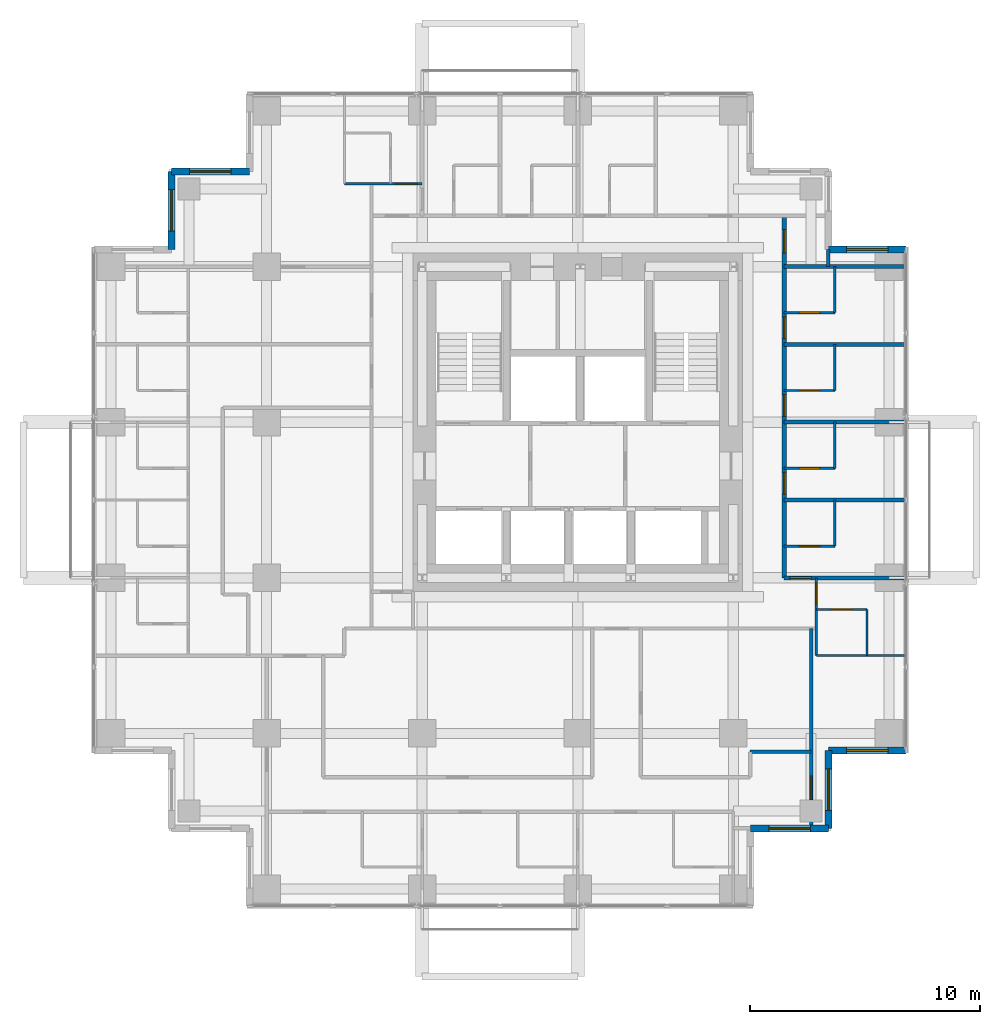
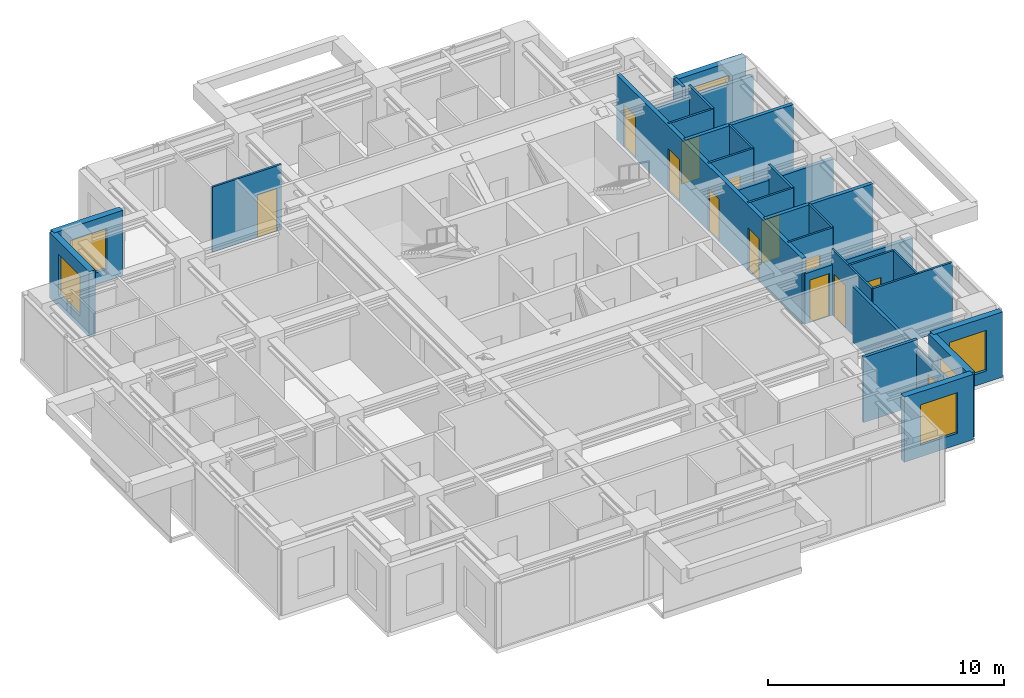
# One storey, part 8 of 10: 28 walls, 13 doors, 6 windows, 19 openings.
"""IFC4 building model written with IfcOpenShell, lengths in metres."""

from ifc_helpers import new_model, si_unit, direction, frame, frame_2d, origin, place, context, subcontext, project, spatial, rectangle, extrude, material, layer, layer_set, type_object, element, fill, save


model = new_model("IFC4")

# Units and contexts
model_context = context("Model", 3, precision=1e-05, world=origin(), true_north=direction((0.0, 1.0)))
body_context = subcontext(model_context, "Body", "Model", "MODEL_VIEW")
ifc_project = project(units=[si_unit("LENGTHUNIT", "METRE"), si_unit("AREAUNIT", "SQUARE_METRE"), si_unit("VOLUMEUNIT", "CUBIC_METRE"), si_unit("PLANEANGLEUNIT", "RADIAN"), si_unit("MASSUNIT", "GRAM", prefix="KILO")], contexts=[model_context])

# Site, building, storey
site_placement = place(None, origin())
site = spatial("IfcSite", under=ifc_project, at=site_placement, CompositionType="ELEMENT")
building_placement = place(site_placement, origin())
building = spatial("IfcBuilding", under=site, at=building_placement, Name="Nyansa Garden Tower", CompositionType="ELEMENT")
storey_placement = place(building_placement, frame((0.0, 0.0, 181.800048828125)))
storey = spatial("IfcBuildingStorey", under=building, at=storey_placement, Name="L49", CompositionType="ELEMENT", Elevation=181.800048828125)

# Wall, opening, door
ifc_material_1 = material(Name="Dense blockwork, plastered both sides, 55 dB", Category="masonry")
ifc_layer_1 = layer(ifc_material_1, 0.175048828125)
ifc_layer_set_1 = layer_set([ifc_layer_1], Name="Acoustic party wall PW175")
wall_type_1 = type_object("IfcWallType", Name="Acoustic party wall PW175", PredefinedType="PARTITIONING", material=ifc_layer_set_1)
wall_1_placement = place(storey_placement, frame((29.199951171875, 13.5, 0.0), z_axis=(0.0, 0.0, 1.0), x_axis=(1.0, 0.0, 0.0)))
wall_1 = element("IfcWall", 1, at=wall_1_placement, inside=storey, type_object=wall_type_1, Name="Party wall", PredefinedType="PARTITIONING", context=body_context, shape_type="SweptSolid", body=[
    extrude(rectangle(XDim=5.283935546875, YDim=0.175048828125, at=frame_2d((2.64208984375, 0.0))), origin(), (0.0, 0.0, 1.0), 2.60986328125),
])
opening_1_placement = place(wall_1_placement, frame((0.25, 0.0, 0.0)))
opening_1 = element("IfcOpeningElement", 2, at=opening_1_placement, cuts=wall_1, Name="Opening D14", PredefinedType="OPENING", context=body_context, shape_type="SweptSolid", body=[
    extrude(rectangle(XDim=0.949951171875, YDim=2.199951171875, at=frame_2d((0.47509765625, 1.10009765625))), frame((0.0, 0.097412109375, 0.0), z_axis=(0.0, -1.0, 0.0), x_axis=(1.0, 0.0, 0.0)), (0.0, 0.0, 1.0), 0.195068359375),
])
ifc_material_2 = material(Name="Timber flush door, 60 minute fire resisting, self-closing", Category="wood")
door_type_1 = type_object("IfcDoorType", Name="Studio entrance door D14 950x2200", OperationType="SINGLE_SWING_LEFT", PredefinedType="DOOR", material=ifc_material_2)
door_1_placement = place(opening_1_placement, origin())
door_1 = element("IfcDoor", 3, at=door_1_placement, inside=storey, type_object=door_type_1, Name="Door L49-030", OperationType="SINGLE_SWING_LEFT", OverallHeight=2.199951171875, OverallWidth=0.949951171875, PredefinedType="DOOR", context=body_context, shape_type="SweptSolid", body=[
    extrude(rectangle(XDim=0.949951171875, YDim=2.199951171875, at=frame_2d((0.47509765625, 1.10009765625))), frame((0.0, 0.02490234375, 0.0), z_axis=(0.0, -1.0, 0.0), x_axis=(1.0, 0.0, 0.0)), (0.0, 0.0, 1.0), 0.050048828125),
])
fill(opening_1, door_1)

# Walls
wall_2_placement = place(storey_placement, frame((29.199951171875, 16.875, 0.0), z_axis=(0.0, 0.0, 1.0), x_axis=(1.0, 0.0, 0.0)))
element("IfcWall", 4, at=wall_2_placement, inside=storey, type_object=wall_type_1, Name="Party wall", PredefinedType="PARTITIONING", context=body_context, shape_type="SweptSolid", body=[
    extrude(rectangle(XDim=5.283935546875, YDim=0.175048828125, at=frame_2d((2.64208984375, 0.0))), origin(), (0.0, 0.0, 1.0), 3.375),
])
wall_3_placement = place(storey_placement, frame((29.199951171875, 20.25, 0.0), z_axis=(0.0, 0.0, 1.0), x_axis=(1.0, 0.0, 0.0)))
element("IfcWall", 5, at=wall_3_placement, inside=storey, type_object=wall_type_1, Name="Party wall", PredefinedType="PARTITIONING", context=body_context, shape_type="SweptSolid", body=[
    extrude(rectangle(XDim=5.283935546875, YDim=0.175048828125, at=frame_2d((2.64208984375, 0.0))), origin(), (0.0, 0.0, 1.0), 2.60986328125),
])
wall_4_placement = place(storey_placement, frame((29.199951171875, 23.625, 0.0), z_axis=(0.0, 0.0, 1.0), x_axis=(1.0, 0.0, 0.0)))
element("IfcWall", 6, at=wall_4_placement, inside=storey, type_object=wall_type_1, Name="Party wall", PredefinedType="PARTITIONING", context=body_context, shape_type="SweptSolid", body=[
    extrude(rectangle(XDim=5.283935546875, YDim=0.175048828125, at=frame_2d((2.64208984375, 0.0))), origin(), (0.0, 0.0, 1.0), 3.375),
])
wall_5_placement = place(storey_placement, frame((29.199951171875, 27.0, 0.0), z_axis=(0.0, 0.0, 1.0), x_axis=(1.0, 0.0, 0.0)))
element("IfcWall", 7, at=wall_5_placement, inside=storey, type_object=wall_type_1, Name="Party wall", PredefinedType="PARTITIONING", context=body_context, shape_type="SweptSolid", body=[
    extrude(rectangle(XDim=5.283935546875, YDim=0.175048828125, at=frame_2d((2.64208984375, 0.0))), origin(), (0.0, 0.0, 1.0), 2.805908203125),
])

# Wall, openings, doors
ifc_material_3 = material(Name="Concrete blockwork, plastered, 60 minute fire resisting", Category="masonry")
ifc_layer_2 = layer(ifc_material_3, 0.199951171875)
ifc_layer_set_2 = layer_set([ifc_layer_2], Name="Corridor wall FW200")
wall_type_2 = type_object("IfcWallType", Name="Corridor wall FW200", PredefinedType="PARTITIONING", material=ifc_layer_set_2)
wall_6_placement = place(storey_placement, frame((29.199951171875, 13.5, 0.0), z_axis=(0.0, 0.0, 1.0), x_axis=(0.0, 1.0, 0.0)))
wall_6 = element("IfcWall", 8, at=wall_6_placement, inside=storey, type_object=wall_type_2, Name="Corridor wall", PredefinedType="PARTITIONING", context=body_context, shape_type="SweptSolid", body=[
    extrude(rectangle(XDim=15.699951171875, YDim=0.199951171875, at=frame_2d((7.85009765625, 0.0))), origin(), (0.0, 0.0, 1.0), 3.375),
])
opening_2_placement = place(wall_6_placement, frame((3.625, 0.0, 0.0)))
opening_2 = element("IfcOpeningElement", 9, at=opening_2_placement, cuts=wall_6, Name="Opening D14", PredefinedType="OPENING", context=body_context, shape_type="SweptSolid", body=[
    extrude(rectangle(XDim=0.949951171875, YDim=2.199951171875, at=frame_2d((0.47509765625, 1.10009765625))), frame((0.0, 0.10986328125, 0.0), z_axis=(0.0, -1.0, 0.0), x_axis=(1.0, 0.0, 0.0)), (0.0, 0.0, 1.0), 0.219970703125),
])
opening_3_placement = place(wall_6_placement, frame((7.0, 0.0, 0.0)))
opening_3 = element("IfcOpeningElement", 10, at=opening_3_placement, cuts=wall_6, Name="Opening D14", PredefinedType="OPENING", context=body_context, shape_type="SweptSolid", body=[
    extrude(rectangle(XDim=0.949951171875, YDim=2.199951171875, at=frame_2d((0.47509765625, 1.10009765625))), frame((0.0, 0.10986328125, 0.0), z_axis=(0.0, -1.0, 0.0), x_axis=(1.0, 0.0, 0.0)), (0.0, 0.0, 1.0), 0.219970703125),
])
opening_4_placement = place(wall_6_placement, frame((10.375, 0.0, 0.0)))
opening_4 = element("IfcOpeningElement", 11, at=opening_4_placement, cuts=wall_6, Name="Opening D14", PredefinedType="OPENING", context=body_context, shape_type="SweptSolid", body=[
    extrude(rectangle(XDim=0.949951171875, YDim=2.199951171875, at=frame_2d((0.47509765625, 1.10009765625))), frame((0.0, 0.10986328125, 0.0), z_axis=(0.0, -1.0, 0.0), x_axis=(1.0, 0.0, 0.0)), (0.0, 0.0, 1.0), 0.219970703125),
])
opening_5_placement = place(wall_6_placement, frame((14.10009765625, 0.0, 0.0)))
opening_5 = element("IfcOpeningElement", 12, at=opening_5_placement, cuts=wall_6, Name="Opening D03", PredefinedType="OPENING", context=body_context, shape_type="SweptSolid", body=[
    extrude(rectangle(XDim=1.0, YDim=2.199951171875, at=frame_2d((0.5, 1.10009765625))), frame((0.0, 0.10986328125, 0.0), z_axis=(0.0, -1.0, 0.0), x_axis=(1.0, 0.0, 0.0)), (0.0, 0.0, 1.0), 0.219970703125),
])
ifc_material_4 = material(Name="Timber flush door, 60 minute fire resisting", Category="wood")
door_type_2 = type_object("IfcDoorType", Name="Cluster entrance door D03 1000x2200", OperationType="SINGLE_SWING_LEFT", PredefinedType="DOOR", material=ifc_material_4)
door_2_placement = place(opening_5_placement, origin())
door_2 = element("IfcDoor", 13, at=door_2_placement, inside=storey, type_object=door_type_2, Name="Door L49-038", OperationType="SINGLE_SWING_LEFT", OverallHeight=2.199951171875, OverallWidth=1.0, PredefinedType="DOOR", context=body_context, shape_type="SweptSolid", body=[
    extrude(rectangle(XDim=1.0, YDim=2.199951171875, at=frame_2d((0.5, 1.10009765625))), frame((0.0, 0.02490234375, 0.0), z_axis=(0.0, -1.0, 0.0), x_axis=(1.0, 0.0, 0.0)), (0.0, 0.0, 1.0), 0.050048828125),
])
fill(opening_5, door_2)
door_3_placement = place(opening_2_placement, origin())
door_3 = element("IfcDoor", 14, at=door_3_placement, inside=storey, type_object=door_type_1, Name="Door L49-032", OperationType="SINGLE_SWING_LEFT", OverallHeight=2.199951171875, OverallWidth=0.949951171875, PredefinedType="DOOR", context=body_context, shape_type="SweptSolid", body=[
    extrude(rectangle(XDim=0.949951171875, YDim=2.199951171875, at=frame_2d((0.47509765625, 1.10009765625))), frame((0.0, 0.02490234375, 0.0), z_axis=(0.0, -1.0, 0.0), x_axis=(1.0, 0.0, 0.0)), (0.0, 0.0, 1.0), 0.050048828125),
])
fill(opening_2, door_3)
door_4_placement = place(opening_3_placement, origin())
door_4 = element("IfcDoor", 15, at=door_4_placement, inside=storey, type_object=door_type_1, Name="Door L49-034", OperationType="SINGLE_SWING_LEFT", OverallHeight=2.199951171875, OverallWidth=0.949951171875, PredefinedType="DOOR", context=body_context, shape_type="SweptSolid", body=[
    extrude(rectangle(XDim=0.949951171875, YDim=2.199951171875, at=frame_2d((0.47509765625, 1.10009765625))), frame((0.0, 0.02490234375, 0.0), z_axis=(0.0, -1.0, 0.0), x_axis=(1.0, 0.0, 0.0)), (0.0, 0.0, 1.0), 0.050048828125),
])
fill(opening_3, door_4)
door_5_placement = place(opening_4_placement, origin())
door_5 = element("IfcDoor", 16, at=door_5_placement, inside=storey, type_object=door_type_1, Name="Door L49-036", OperationType="SINGLE_SWING_LEFT", OverallHeight=2.199951171875, OverallWidth=0.949951171875, PredefinedType="DOOR", context=body_context, shape_type="SweptSolid", body=[
    extrude(rectangle(XDim=0.949951171875, YDim=2.199951171875, at=frame_2d((0.47509765625, 1.10009765625))), frame((0.0, 0.02490234375, 0.0), z_axis=(0.0, -1.0, 0.0), x_axis=(1.0, 0.0, 0.0)), (0.0, 0.0, 1.0), 0.050048828125),
])
fill(opening_4, door_5)

# Wall
ifc_material_5 = material(Name="Blockwork, plastered both sides", Category="masonry")
ifc_layer_3 = layer(ifc_material_5, 0.14990234375)
ifc_layer_set_3 = layer_set([ifc_layer_3], Name="Partition PW150")
wall_type_3 = type_object("IfcWallType", Name="Partition PW150", PredefinedType="PARTITIONING", material=ifc_layer_set_3)
wall_7_placement = place(storey_placement, frame((27.72509765625, 5.949951171875, 0.0), z_axis=(0.0, 0.0, 1.0), x_axis=(1.0, 0.0, 0.0)))
element("IfcWall", 17, at=wall_7_placement, inside=storey, type_object=wall_type_3, Name="Partition", PredefinedType="PARTITIONING", context=body_context, shape_type="SweptSolid", body=[
    extrude(rectangle(XDim=2.64990234375, YDim=0.14990234375, at=frame_2d((1.324951171875, 0.0))), origin(), (0.0, 0.0, 1.0), 3.375),
])

# Wall, opening, door
wall_8_placement = place(storey_placement, frame((30.375, 2.77490234375, 0.0), z_axis=(0.0, 0.0, 1.0), x_axis=(0.0, 1.0, 0.0)))
wall_8 = element("IfcWall", 18, at=wall_8_placement, inside=storey, type_object=wall_type_3, Name="Partition", PredefinedType="PARTITIONING", context=body_context, shape_type="SweptSolid", body=[
    extrude(rectangle(XDim=8.525146484375, YDim=0.14990234375, at=frame_2d((4.2626953125, 0.0))), origin(), (0.0, 0.0, 1.0), 2.876953125),
])
opening_6_placement = place(wall_8_placement, frame((1.115966796875, 0.0, 0.0)))
opening_6 = element("IfcOpeningElement", 19, at=opening_6_placement, cuts=wall_8, Name="Opening D03", PredefinedType="OPENING", context=body_context, shape_type="SweptSolid", body=[
    extrude(rectangle(XDim=1.0, YDim=2.199951171875, at=frame_2d((0.5, 1.10009765625))), frame((0.0, 0.0849609375, 0.0), z_axis=(0.0, -1.0, 0.0), x_axis=(1.0, 0.0, 0.0)), (0.0, 0.0, 1.0), 0.169921875),
])
door_6_placement = place(opening_6_placement, origin())
door_6 = element("IfcDoor", 20, at=door_6_placement, inside=storey, type_object=door_type_2, Name="Door L49-027", OperationType="SINGLE_SWING_LEFT", OverallHeight=2.199951171875, OverallWidth=1.0, PredefinedType="DOOR", context=body_context, shape_type="SweptSolid", body=[
    extrude(rectangle(XDim=1.0, YDim=2.199951171875, at=frame_2d((0.5, 1.10009765625))), frame((0.0, 0.02490234375, 0.0), z_axis=(0.0, -1.0, 0.0), x_axis=(1.0, 0.0, 0.0)), (0.0, 0.0, 1.0), 0.050048828125),
])
fill(opening_6, door_6)

# Wall
wall_9_placement = place(storey_placement, frame((31.125, 27.0, 0.0), z_axis=(0.0, 0.0, 1.0), x_axis=(0.0, 1.0, 0.0)))
element("IfcWall", 21, at=wall_9_placement, inside=storey, type_object=wall_type_3, Name="Partition", PredefinedType="PARTITIONING", context=body_context, shape_type="SweptSolid", body=[
    extrude(rectangle(XDim=0.73388671875, YDim=0.14990234375, at=frame_2d((0.366943359375, 0.0))), origin(), (0.0, 0.0, 1.0), 3.375),
])

# Wall, opening, window
ifc_material_6 = material(Name="Turquoise glazed tile on concrete blockwork", Category="masonry")
ifc_layer_4 = layer(ifc_material_6, 0.300048828125)
ifc_layer_set_4 = layer_set([ifc_layer_4], Name="Tiled corner wall TW300")
wall_type_4 = type_object("IfcWallType", Name="Tiled corner wall TW300", PredefinedType="SOLIDWALL", material=ifc_layer_set_4)
wall_10_placement = place(storey_placement, frame((34.5, 27.75, 0.0), z_axis=(0.0, 0.0, 1.0), x_axis=(-1.0, 0.0, 0.0)))
wall_10 = element("IfcWall", 22, at=wall_10_placement, inside=storey, type_object=wall_type_4, Name="Tiled corner wall L49", PredefinedType="SOLIDWALL", context=body_context, shape_type="SweptSolid", body=[
    extrude(rectangle(XDim=3.375, YDim=0.300048828125, at=frame_2d((1.6875, 0.0))), origin(), (0.0, 0.0, 1.0), 3.375),
])
opening_7_placement = place(wall_10_placement, frame((0.78759765625, 0.0, 0.60009765625)))
opening_7 = element("IfcOpeningElement", 23, at=opening_7_placement, cuts=wall_10, Name="Opening W2", PredefinedType="OPENING", context=body_context, shape_type="SweptSolid", body=[
    extrude(rectangle(XDim=1.800048828125, YDim=2.10009765625, at=frame_2d((0.89990234375, 1.050048828125))), frame((0.0, 0.159912109375, 0.0), z_axis=(0.0, -1.0, 0.0), x_axis=(1.0, 0.0, 0.0)), (0.0, 0.0, 1.0), 0.320068359375),
])
ifc_material_7 = material(Name="Black aluminium frame, dark tinted double glazing", Category="aluminium")
window_type = type_object("IfcWindowType", Name="Window W2 1800x2100", PartitioningType="SINGLE_PANEL", PredefinedType="WINDOW", material=ifc_material_7)
window_1_placement = place(opening_7_placement, origin())
window_1 = element("IfcWindow", 24, at=window_1_placement, inside=storey, type_object=window_type, Name="Corner window L49", OverallHeight=2.10009765625, OverallWidth=1.800048828125, PartitioningType="SINGLE_PANEL", PredefinedType="WINDOW", context=body_context, shape_type="SweptSolid", body=[
    extrude(rectangle(XDim=1.800048828125, YDim=2.10009765625, at=frame_2d((0.89990234375, 1.050048828125))), frame((0.0, 0.030029296875, 0.0), z_axis=(0.0, -1.0, 0.0), x_axis=(1.0, 0.0, 0.0)), (0.0, 0.0, 1.0), 0.06005859375),
])
fill(opening_7, window_1)

wall_11_placement = place(storey_placement, frame((6.0, 31.125, 0.0), z_axis=(0.0, 0.0, 1.0), x_axis=(-1.0, 0.0, 0.0)))
wall_11 = element("IfcWall", 25, at=wall_11_placement, inside=storey, type_object=wall_type_4, Name="Tiled corner wall L49", PredefinedType="SOLIDWALL", context=body_context, shape_type="SweptSolid", body=[
    extrude(rectangle(XDim=3.375, YDim=0.300048828125, at=frame_2d((1.6875, 0.0))), origin(), (0.0, 0.0, 1.0), 3.375),
])
opening_8_placement = place(wall_11_placement, frame((0.78759765625, 0.0, 0.60009765625)))
opening_8 = element("IfcOpeningElement", 26, at=opening_8_placement, cuts=wall_11, Name="Opening W2", PredefinedType="OPENING", context=body_context, shape_type="SweptSolid", body=[
    extrude(rectangle(XDim=1.800048828125, YDim=2.10009765625, at=frame_2d((0.89990234375, 1.050048828125))), frame((0.0, 0.159912109375, 0.0), z_axis=(0.0, -1.0, 0.0), x_axis=(1.0, 0.0, 0.0)), (0.0, 0.0, 1.0), 0.320068359375),
])
window_2_placement = place(opening_8_placement, origin())
window_2 = element("IfcWindow", 27, at=window_2_placement, inside=storey, type_object=window_type, Name="Corner window L49", OverallHeight=2.10009765625, OverallWidth=1.800048828125, PartitioningType="SINGLE_PANEL", PredefinedType="WINDOW", context=body_context, shape_type="SweptSolid", body=[
    extrude(rectangle(XDim=1.800048828125, YDim=2.10009765625, at=frame_2d((0.89990234375, 1.050048828125))), frame((0.0, 0.030029296875, 0.0), z_axis=(0.0, -1.0, 0.0), x_axis=(1.0, 0.0, 0.0)), (0.0, 0.0, 1.0), 0.06005859375),
])
fill(opening_8, window_2)

wall_12_placement = place(storey_placement, frame((2.625, 31.125, 0.0), z_axis=(0.0, 0.0, 1.0), x_axis=(0.0, -1.0, 0.0)))
wall_12 = element("IfcWall", 28, at=wall_12_placement, inside=storey, type_object=wall_type_4, Name="Tiled corner wall L49", PredefinedType="SOLIDWALL", context=body_context, shape_type="SweptSolid", body=[
    extrude(rectangle(XDim=3.375, YDim=0.300048828125, at=frame_2d((1.6875, 0.0))), origin(), (0.0, 0.0, 1.0), 3.375),
])
opening_9_placement = place(wall_12_placement, frame((0.78759765625, 0.0, 0.60009765625)))
opening_9 = element("IfcOpeningElement", 29, at=opening_9_placement, cuts=wall_12, Name="Opening W2", PredefinedType="OPENING", context=body_context, shape_type="SweptSolid", body=[
    extrude(rectangle(XDim=1.800048828125, YDim=2.10009765625, at=frame_2d((0.89990234375, 1.050048828125))), frame((0.0, 0.159912109375, 0.0), z_axis=(0.0, -1.0, 0.0), x_axis=(1.0, 0.0, 0.0)), (0.0, 0.0, 1.0), 0.320068359375),
])
window_3_placement = place(opening_9_placement, origin())
window_3 = element("IfcWindow", 30, at=window_3_placement, inside=storey, type_object=window_type, Name="Corner window L49", OverallHeight=2.10009765625, OverallWidth=1.800048828125, PartitioningType="SINGLE_PANEL", PredefinedType="WINDOW", context=body_context, shape_type="SweptSolid", body=[
    extrude(rectangle(XDim=1.800048828125, YDim=2.10009765625, at=frame_2d((0.89990234375, 1.050048828125))), frame((0.0, 0.030029296875, 0.0), z_axis=(0.0, -1.0, 0.0), x_axis=(1.0, 0.0, 0.0)), (0.0, 0.0, 1.0), 0.06005859375),
])
fill(opening_9, window_3)

wall_13_placement = place(storey_placement, frame((27.75, 2.625, 0.0), z_axis=(0.0, 0.0, 1.0), x_axis=(1.0, 0.0, 0.0)))
wall_13 = element("IfcWall", 31, at=wall_13_placement, inside=storey, type_object=wall_type_4, Name="Tiled corner wall L49", PredefinedType="SOLIDWALL", context=body_context, shape_type="SweptSolid", body=[
    extrude(rectangle(XDim=3.375, YDim=0.300048828125, at=frame_2d((1.6875, 0.0))), origin(), (0.0, 0.0, 1.0), 3.375),
])
opening_10_placement = place(wall_13_placement, frame((0.78759765625, 0.0, 0.60009765625)))
opening_10 = element("IfcOpeningElement", 32, at=opening_10_placement, cuts=wall_13, Name="Opening W2", PredefinedType="OPENING", context=body_context, shape_type="SweptSolid", body=[
    extrude(rectangle(XDim=1.800048828125, YDim=2.10009765625, at=frame_2d((0.89990234375, 1.050048828125))), frame((0.0, 0.159912109375, 0.0), z_axis=(0.0, -1.0, 0.0), x_axis=(1.0, 0.0, 0.0)), (0.0, 0.0, 1.0), 0.320068359375),
])
window_4_placement = place(opening_10_placement, origin())
window_4 = element("IfcWindow", 33, at=window_4_placement, inside=storey, type_object=window_type, Name="Corner window L49", OverallHeight=2.10009765625, OverallWidth=1.800048828125, PartitioningType="SINGLE_PANEL", PredefinedType="WINDOW", context=body_context, shape_type="SweptSolid", body=[
    extrude(rectangle(XDim=1.800048828125, YDim=2.10009765625, at=frame_2d((0.89990234375, 1.050048828125))), frame((0.0, 0.030029296875, 0.0), z_axis=(0.0, -1.0, 0.0), x_axis=(1.0, 0.0, 0.0)), (0.0, 0.0, 1.0), 0.06005859375),
])
fill(opening_10, window_4)

wall_14_placement = place(storey_placement, frame((31.125, 2.625, 0.0), z_axis=(0.0, 0.0, 1.0), x_axis=(0.0, 1.0, 0.0)))
wall_14 = element("IfcWall", 34, at=wall_14_placement, inside=storey, type_object=wall_type_4, Name="Tiled corner wall L49", PredefinedType="SOLIDWALL", context=body_context, shape_type="SweptSolid", body=[
    extrude(rectangle(XDim=3.375, YDim=0.300048828125, at=frame_2d((1.6875, 0.0))), origin(), (0.0, 0.0, 1.0), 3.375),
])
opening_11_placement = place(wall_14_placement, frame((0.78759765625, 0.0, 0.60009765625)))
opening_11 = element("IfcOpeningElement", 35, at=opening_11_placement, cuts=wall_14, Name="Opening W2", PredefinedType="OPENING", context=body_context, shape_type="SweptSolid", body=[
    extrude(rectangle(XDim=1.800048828125, YDim=2.10009765625, at=frame_2d((0.89990234375, 1.050048828125))), frame((0.0, 0.159912109375, 0.0), z_axis=(0.0, -1.0, 0.0), x_axis=(1.0, 0.0, 0.0)), (0.0, 0.0, 1.0), 0.320068359375),
])
window_5_placement = place(opening_11_placement, origin())
window_5 = element("IfcWindow", 36, at=window_5_placement, inside=storey, type_object=window_type, Name="Corner window L49", OverallHeight=2.10009765625, OverallWidth=1.800048828125, PartitioningType="SINGLE_PANEL", PredefinedType="WINDOW", context=body_context, shape_type="SweptSolid", body=[
    extrude(rectangle(XDim=1.800048828125, YDim=2.10009765625, at=frame_2d((0.89990234375, 1.050048828125))), frame((0.0, 0.030029296875, 0.0), z_axis=(0.0, -1.0, 0.0), x_axis=(1.0, 0.0, 0.0)), (0.0, 0.0, 1.0), 0.06005859375),
])
fill(opening_11, window_5)

wall_15_placement = place(storey_placement, frame((31.125, 6.0, 0.0), z_axis=(0.0, 0.0, 1.0), x_axis=(1.0, 0.0, 0.0)))
wall_15 = element("IfcWall", 37, at=wall_15_placement, inside=storey, type_object=wall_type_4, Name="Tiled corner wall L49", PredefinedType="SOLIDWALL", context=body_context, shape_type="SweptSolid", body=[
    extrude(rectangle(XDim=3.375, YDim=0.300048828125, at=frame_2d((1.6875, 0.0))), origin(), (0.0, 0.0, 1.0), 3.375),
])
opening_12_placement = place(wall_15_placement, frame((0.78759765625, 0.0, 0.60009765625)))
opening_12 = element("IfcOpeningElement", 38, at=opening_12_placement, cuts=wall_15, Name="Opening W2", PredefinedType="OPENING", context=body_context, shape_type="SweptSolid", body=[
    extrude(rectangle(XDim=1.800048828125, YDim=2.10009765625, at=frame_2d((0.89990234375, 1.050048828125))), frame((0.0, 0.159912109375, 0.0), z_axis=(0.0, -1.0, 0.0), x_axis=(1.0, 0.0, 0.0)), (0.0, 0.0, 1.0), 0.320068359375),
])
window_6_placement = place(opening_12_placement, origin())
window_6 = element("IfcWindow", 39, at=window_6_placement, inside=storey, type_object=window_type, Name="Corner window L49", OverallHeight=2.10009765625, OverallWidth=1.800048828125, PartitioningType="SINGLE_PANEL", PredefinedType="WINDOW", context=body_context, shape_type="SweptSolid", body=[
    extrude(rectangle(XDim=1.800048828125, YDim=2.10009765625, at=frame_2d((0.89990234375, 1.050048828125))), frame((0.0, 0.030029296875, 0.0), z_axis=(0.0, -1.0, 0.0), x_axis=(1.0, 0.0, 0.0)), (0.0, 0.0, 1.0), 0.06005859375),
])
fill(opening_12, window_6)

# Wall, opening, door
ifc_material_8 = material(Name="Moisture resistant board on steel studs, tiled", Category="steel")
ifc_layer_5 = layer(ifc_material_8, 0.10009765625)
ifc_layer_set_5 = layer_set([ifc_layer_5], Name="Wet wall PW100")
wall_type_5 = type_object("IfcWallType", Name="Wet wall PW100", PredefinedType="PARTITIONING", material=ifc_layer_set_5)
wall_16_placement = place(storey_placement, frame((10.125, 30.60009765625, 0.0), z_axis=(0.0, 0.0, 1.0), x_axis=(1.0, 0.0, 0.0)))
wall_16 = element("IfcWall", 40, at=wall_16_placement, inside=storey, type_object=wall_type_5, Name="Wet wall", PredefinedType="PARTITIONING", context=body_context, shape_type="SweptSolid", body=[
    extrude(rectangle(XDim=3.375, YDim=0.10009765625, at=frame_2d((1.6875, 0.0))), origin(), (0.0, 0.0, 1.0), 3.375),
])
opening_13_placement = place(wall_16_placement, frame((2.199951171875, 0.0, 0.0)))
opening_13 = element("IfcOpeningElement", 41, at=opening_13_placement, cuts=wall_16, Name="Opening D14", PredefinedType="OPENING", context=body_context, shape_type="SweptSolid", body=[
    extrude(rectangle(XDim=0.949951171875, YDim=2.199951171875, at=frame_2d((0.47509765625, 1.10009765625))), frame((0.0, 0.06005859375, 0.0), z_axis=(0.0, -1.0, 0.0), x_axis=(1.0, 0.0, 0.0)), (0.0, 0.0, 1.0), 0.1201171875),
])
door_7_placement = place(opening_13_placement, origin())
door_7 = element("IfcDoor", 42, at=door_7_placement, inside=storey, type_object=door_type_1, Name="Door L49-040", OperationType="SINGLE_SWING_LEFT", OverallHeight=2.199951171875, OverallWidth=0.949951171875, PredefinedType="DOOR", context=body_context, shape_type="SweptSolid", body=[
    extrude(rectangle(XDim=0.949951171875, YDim=2.199951171875, at=frame_2d((0.47509765625, 1.10009765625))), frame((0.0, 0.02490234375, 0.0), z_axis=(0.0, -1.0, 0.0), x_axis=(1.0, 0.0, 0.0)), (0.0, 0.0, 1.0), 0.050048828125),
])
fill(opening_13, door_7)

wall_17_placement = place(storey_placement, frame((29.199951171875, 14.875, 0.0), z_axis=(0.0, 0.0, 1.0), x_axis=(1.0, 0.0, 0.0)))
wall_17 = element("IfcWall", 43, at=wall_17_placement, inside=storey, type_object=wall_type_5, Name="Wet wall", PredefinedType="PARTITIONING", context=body_context, shape_type="SweptSolid", body=[
    extrude(rectangle(XDim=2.199951171875, YDim=0.10009765625, at=frame_2d((1.10009765625, 0.0))), origin(), (0.0, 0.0, 1.0), 3.375),
])
opening_14_placement = place(wall_17_placement, frame((0.64990234375, 0.0, 0.0)))
opening_14 = element("IfcOpeningElement", 44, at=opening_14_placement, cuts=wall_17, Name="Opening D02", PredefinedType="OPENING", context=body_context, shape_type="SweptSolid", body=[
    extrude(rectangle(XDim=0.89990234375, YDim=2.199951171875, at=frame_2d((0.449951171875, 1.10009765625))), frame((0.0, 0.06005859375, 0.0), z_axis=(0.0, -1.0, 0.0), x_axis=(1.0, 0.0, 0.0)), (0.0, 0.0, 1.0), 0.1201171875),
])
ifc_material_9 = material(Name="Timber flush door", Category="wood")
door_type_3 = type_object("IfcDoorType", Name="En-suite door D02 900x2200", OperationType="SINGLE_SWING_RIGHT", PredefinedType="DOOR", material=ifc_material_9)
door_8_placement = place(opening_14_placement, origin())
door_8 = element("IfcDoor", 45, at=door_8_placement, inside=storey, type_object=door_type_3, Name="Door L49-031", OperationType="SINGLE_SWING_RIGHT", OverallHeight=2.199951171875, OverallWidth=0.89990234375, PredefinedType="DOOR", context=body_context, shape_type="SweptSolid", body=[
    extrude(rectangle(XDim=0.89990234375, YDim=2.199951171875, at=frame_2d((0.449951171875, 1.10009765625))), frame((0.0, 0.02490234375, 0.0), z_axis=(0.0, -1.0, 0.0), x_axis=(1.0, 0.0, 0.0)), (0.0, 0.0, 1.0), 0.050048828125),
])
fill(opening_14, door_8)

wall_18_placement = place(storey_placement, frame((29.199951171875, 18.25, 0.0), z_axis=(0.0, 0.0, 1.0), x_axis=(1.0, 0.0, 0.0)))
wall_18 = element("IfcWall", 46, at=wall_18_placement, inside=storey, type_object=wall_type_5, Name="Wet wall", PredefinedType="PARTITIONING", context=body_context, shape_type="SweptSolid", body=[
    extrude(rectangle(XDim=2.199951171875, YDim=0.10009765625, at=frame_2d((1.10009765625, 0.0))), origin(), (0.0, 0.0, 1.0), 3.375),
])
opening_15_placement = place(wall_18_placement, frame((0.64990234375, 0.0, 0.0)))
opening_15 = element("IfcOpeningElement", 47, at=opening_15_placement, cuts=wall_18, Name="Opening D02", PredefinedType="OPENING", context=body_context, shape_type="SweptSolid", body=[
    extrude(rectangle(XDim=0.89990234375, YDim=2.199951171875, at=frame_2d((0.449951171875, 1.10009765625))), frame((0.0, 0.06005859375, 0.0), z_axis=(0.0, -1.0, 0.0), x_axis=(1.0, 0.0, 0.0)), (0.0, 0.0, 1.0), 0.1201171875),
])
door_9_placement = place(opening_15_placement, origin())
door_9 = element("IfcDoor", 48, at=door_9_placement, inside=storey, type_object=door_type_3, Name="Door L49-033", OperationType="SINGLE_SWING_RIGHT", OverallHeight=2.199951171875, OverallWidth=0.89990234375, PredefinedType="DOOR", context=body_context, shape_type="SweptSolid", body=[
    extrude(rectangle(XDim=0.89990234375, YDim=2.199951171875, at=frame_2d((0.449951171875, 1.10009765625))), frame((0.0, 0.02490234375, 0.0), z_axis=(0.0, -1.0, 0.0), x_axis=(1.0, 0.0, 0.0)), (0.0, 0.0, 1.0), 0.050048828125),
])
fill(opening_15, door_9)

wall_19_placement = place(storey_placement, frame((29.199951171875, 21.625, 0.0), z_axis=(0.0, 0.0, 1.0), x_axis=(1.0, 0.0, 0.0)))
wall_19 = element("IfcWall", 49, at=wall_19_placement, inside=storey, type_object=wall_type_5, Name="Wet wall", PredefinedType="PARTITIONING", context=body_context, shape_type="SweptSolid", body=[
    extrude(rectangle(XDim=2.199951171875, YDim=0.10009765625, at=frame_2d((1.10009765625, 0.0))), origin(), (0.0, 0.0, 1.0), 3.375),
])
opening_16_placement = place(wall_19_placement, frame((0.64990234375, 0.0, 0.0)))
opening_16 = element("IfcOpeningElement", 50, at=opening_16_placement, cuts=wall_19, Name="Opening D02", PredefinedType="OPENING", context=body_context, shape_type="SweptSolid", body=[
    extrude(rectangle(XDim=0.89990234375, YDim=2.199951171875, at=frame_2d((0.449951171875, 1.10009765625))), frame((0.0, 0.06005859375, 0.0), z_axis=(0.0, -1.0, 0.0), x_axis=(1.0, 0.0, 0.0)), (0.0, 0.0, 1.0), 0.1201171875),
])
door_10_placement = place(opening_16_placement, origin())
door_10 = element("IfcDoor", 51, at=door_10_placement, inside=storey, type_object=door_type_3, Name="Door L49-035", OperationType="SINGLE_SWING_RIGHT", OverallHeight=2.199951171875, OverallWidth=0.89990234375, PredefinedType="DOOR", context=body_context, shape_type="SweptSolid", body=[
    extrude(rectangle(XDim=0.89990234375, YDim=2.199951171875, at=frame_2d((0.449951171875, 1.10009765625))), frame((0.0, 0.02490234375, 0.0), z_axis=(0.0, -1.0, 0.0), x_axis=(1.0, 0.0, 0.0)), (0.0, 0.0, 1.0), 0.050048828125),
])
fill(opening_16, door_10)

wall_20_placement = place(storey_placement, frame((29.199951171875, 25.0, 0.0), z_axis=(0.0, 0.0, 1.0), x_axis=(1.0, 0.0, 0.0)))
wall_20 = element("IfcWall", 52, at=wall_20_placement, inside=storey, type_object=wall_type_5, Name="Wet wall", PredefinedType="PARTITIONING", context=body_context, shape_type="SweptSolid", body=[
    extrude(rectangle(XDim=2.199951171875, YDim=0.10009765625, at=frame_2d((1.10009765625, 0.0))), origin(), (0.0, 0.0, 1.0), 3.375),
])
opening_17_placement = place(wall_20_placement, frame((0.64990234375, 0.0, 0.0)))
opening_17 = element("IfcOpeningElement", 53, at=opening_17_placement, cuts=wall_20, Name="Opening D02", PredefinedType="OPENING", context=body_context, shape_type="SweptSolid", body=[
    extrude(rectangle(XDim=0.89990234375, YDim=2.199951171875, at=frame_2d((0.449951171875, 1.10009765625))), frame((0.0, 0.06005859375, 0.0), z_axis=(0.0, -1.0, 0.0), x_axis=(1.0, 0.0, 0.0)), (0.0, 0.0, 1.0), 0.1201171875),
])
door_11_placement = place(opening_17_placement, origin())
door_11 = element("IfcDoor", 54, at=door_11_placement, inside=storey, type_object=door_type_3, Name="Door L49-037", OperationType="SINGLE_SWING_RIGHT", OverallHeight=2.199951171875, OverallWidth=0.89990234375, PredefinedType="DOOR", context=body_context, shape_type="SweptSolid", body=[
    extrude(rectangle(XDim=0.89990234375, YDim=2.199951171875, at=frame_2d((0.449951171875, 1.10009765625))), frame((0.0, 0.02490234375, 0.0), z_axis=(0.0, -1.0, 0.0), x_axis=(1.0, 0.0, 0.0)), (0.0, 0.0, 1.0), 0.050048828125),
])
fill(opening_17, door_11)

wall_21_placement = place(storey_placement, frame((30.60009765625, 10.125, 0.0), z_axis=(0.0, 0.0, 1.0), x_axis=(0.0, 1.0, 0.0)))
wall_21 = element("IfcWall", 55, at=wall_21_placement, inside=storey, type_object=wall_type_5, Name="Wet wall", PredefinedType="PARTITIONING", context=body_context, shape_type="SweptSolid", body=[
    extrude(rectangle(XDim=3.375, YDim=0.10009765625, at=frame_2d((1.6875, 0.0))), origin(), (0.0, 0.0, 1.0), 3.375),
])
opening_18_placement = place(wall_21_placement, frame((2.199951171875, 0.0, 0.0)))
opening_18 = element("IfcOpeningElement", 56, at=opening_18_placement, cuts=wall_21, Name="Opening D14", PredefinedType="OPENING", context=body_context, shape_type="SweptSolid", body=[
    extrude(rectangle(XDim=0.949951171875, YDim=2.199951171875, at=frame_2d((0.47509765625, 1.10009765625))), frame((0.0, 0.06005859375, 0.0), z_axis=(0.0, -1.0, 0.0), x_axis=(1.0, 0.0, 0.0)), (0.0, 0.0, 1.0), 0.1201171875),
])
door_12_placement = place(opening_18_placement, origin())
door_12 = element("IfcDoor", 57, at=door_12_placement, inside=storey, type_object=door_type_1, Name="Door L49-028", OperationType="SINGLE_SWING_LEFT", OverallHeight=2.199951171875, OverallWidth=0.949951171875, PredefinedType="DOOR", context=body_context, shape_type="SweptSolid", body=[
    extrude(rectangle(XDim=0.949951171875, YDim=2.199951171875, at=frame_2d((0.47509765625, 1.10009765625))), frame((0.0, 0.02490234375, 0.0), z_axis=(0.0, -1.0, 0.0), x_axis=(1.0, 0.0, 0.0)), (0.0, 0.0, 1.0), 0.050048828125),
])
fill(opening_18, door_12)

# Wall
wall_22_placement = place(storey_placement, frame((30.60009765625, 10.125, 0.0), z_axis=(0.0, 0.0, 1.0), x_axis=(1.0, 0.0, 0.0)))
element("IfcWall", 58, at=wall_22_placement, inside=storey, type_object=wall_type_5, Name="Wet wall", PredefinedType="PARTITIONING", context=body_context, shape_type="SweptSolid", body=[
    extrude(rectangle(XDim=3.8837890625, YDim=0.10009765625, at=frame_2d((1.94189453125, 0.0))), origin(), (0.0, 0.0, 1.0), 3.375),
])

# Wall, opening, door
wall_23_placement = place(storey_placement, frame((30.60009765625, 12.125, 0.0), z_axis=(0.0, 0.0, 1.0), x_axis=(1.0, 0.0, 0.0)))
wall_23 = element("IfcWall", 59, at=wall_23_placement, inside=storey, type_object=wall_type_5, Name="Wet wall", PredefinedType="PARTITIONING", context=body_context, shape_type="SweptSolid", body=[
    extrude(rectangle(XDim=2.199951171875, YDim=0.10009765625, at=frame_2d((1.10009765625, 0.0))), origin(), (0.0, 0.0, 1.0), 3.375),
])
opening_19_placement = place(wall_23_placement, frame((0.64990234375, 0.0, 0.0)))
opening_19 = element("IfcOpeningElement", 60, at=opening_19_placement, cuts=wall_23, Name="Opening D02", PredefinedType="OPENING", context=body_context, shape_type="SweptSolid", body=[
    extrude(rectangle(XDim=0.89990234375, YDim=2.199951171875, at=frame_2d((0.449951171875, 1.10009765625))), frame((0.0, 0.06005859375, 0.0), z_axis=(0.0, -1.0, 0.0), x_axis=(1.0, 0.0, 0.0)), (0.0, 0.0, 1.0), 0.1201171875),
])
door_13_placement = place(opening_19_placement, origin())
door_13 = element("IfcDoor", 61, at=door_13_placement, inside=storey, type_object=door_type_3, Name="Door L49-029", OperationType="SINGLE_SWING_RIGHT", OverallHeight=2.199951171875, OverallWidth=0.89990234375, PredefinedType="DOOR", context=body_context, shape_type="SweptSolid", body=[
    extrude(rectangle(XDim=0.89990234375, YDim=2.199951171875, at=frame_2d((0.449951171875, 1.10009765625))), frame((0.0, 0.02490234375, 0.0), z_axis=(0.0, -1.0, 0.0), x_axis=(1.0, 0.0, 0.0)), (0.0, 0.0, 1.0), 0.050048828125),
])
fill(opening_19, door_13)

# Walls
for number, where, z_axis, x_axis, name in (
    (62, (31.39990234375, 14.875, 0.0), (0.0, 0.0, 1.0), (0.0, 1.0, 0.0), "Wet wall"),
    (63, (31.39990234375, 18.25, 0.0), (0.0, 0.0, 1.0), (0.0, 1.0, 0.0), "Wet wall"),
    (64, (31.39990234375, 21.625, 0.0), (0.0, 0.0, 1.0), (0.0, 1.0, 0.0), "Wet wall"),
    (65, (31.39990234375, 25.0, 0.0), (0.0, 0.0, 1.0), (0.0, 1.0, 0.0), "Wet wall"),
    (66, (32.800048828125, 10.125, 0.0), (0.0, 0.0, 1.0), (0.0, 1.0, 0.0), "Wet wall"),
):
    element("IfcWall", number, at=place(storey_placement, frame(where, z_axis=z_axis, x_axis=x_axis)), inside=storey, type_object=wall_type_5, Name=name, PredefinedType="PARTITIONING", context=body_context, shape_type="SweptSolid", body=[
        extrude(rectangle(XDim=2.0, YDim=0.10009765625, at=frame_2d((1.0, 0.0))), origin(), (0.0, 0.0, 1.0), 3.375),
    ])

save(model, "model.ifc")
